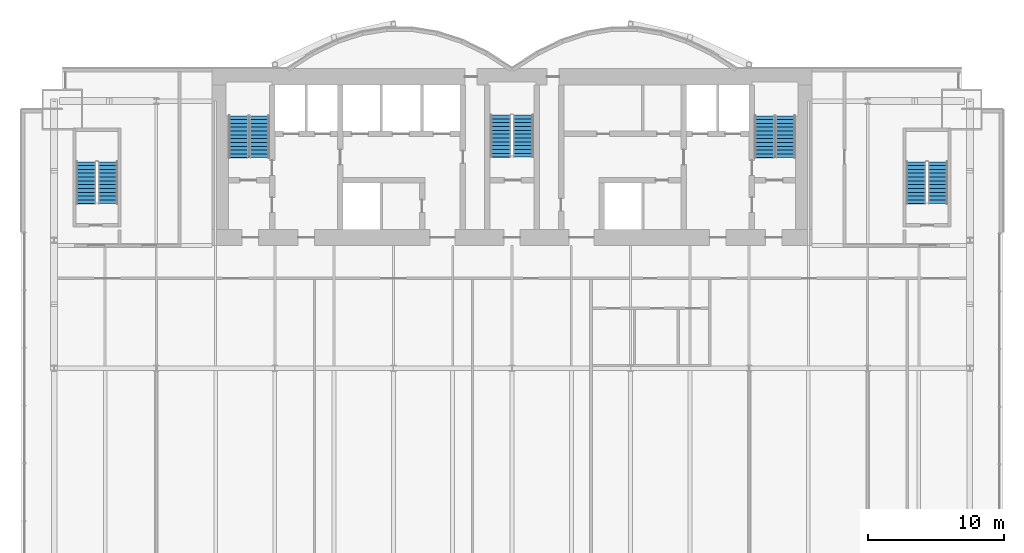
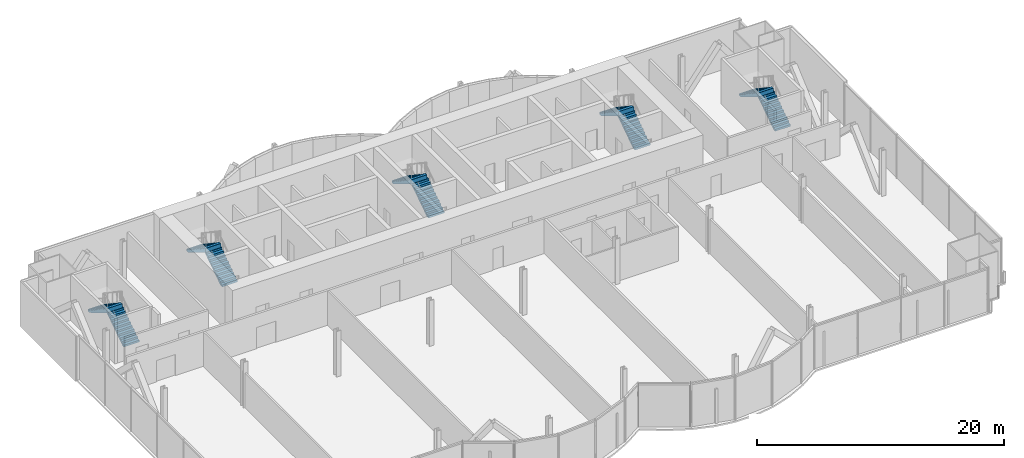
# One storey, part 18 of 21: 10 stair flights, 5 elements without a shape of their own.
"""IFC4 building model written with IfcOpenShell, lengths in metres."""

from ifc_helpers import new_model, si_unit, direction, frame, origin, place, context, subcontext, project, spatial, polyline, outline, extrude, material, type_object, element, aggregate, save


model = new_model("IFC4")

# Units and contexts
model_context = context("Model", 3, precision=1e-05, world=origin(), true_north=direction((0.0, 1.0)))
body_context = subcontext(model_context, "Body", "Model", "MODEL_VIEW")
ifc_project = project(units=[si_unit("LENGTHUNIT", "METRE"), si_unit("AREAUNIT", "SQUARE_METRE"), si_unit("VOLUMEUNIT", "CUBIC_METRE"), si_unit("PLANEANGLEUNIT", "RADIAN"), si_unit("MASSUNIT", "GRAM", prefix="KILO")], contexts=[model_context])

# Site, building, storey
site_placement = place(None, origin())
site = spatial("IfcSite", under=ifc_project, at=site_placement, CompositionType="ELEMENT")
building_placement = place(site_placement, origin())
building = spatial("IfcBuilding", under=site, at=building_placement, Name="Bicima Exchange Tower", CompositionType="ELEMENT")
storey_placement = place(building_placement, frame((0.0, 0.0, 57.5)))
storey = spatial("IfcBuildingStorey", under=building, at=storey_placement, Name="L11", CompositionType="ELEMENT", Elevation=57.5)

# Stair, stair flights
ifc_material = material(Name="Concrete C50/60", Category="concrete")
stair_type_1 = type_object("IfcStairType", Name="Exit stair", PredefinedType="HALF_TURN_STAIR", material=ifc_material)
stair_1_placement = place(storey_placement, origin())
stair_1 = element("IfcStair", 1, at=stair_1_placement, inside=storey, type_object=stair_type_1, Name="L11 West exit stair", PredefinedType="HALF_TURN_STAIR")
stair_flight_type_1 = type_object("IfcStairFlightType", Name="Stair flight RC", PredefinedType="STRAIGHT", material=ifc_material)
stair_flight_1_placement = place(storey_placement, frame((-18.52490234375, -6.550048828125, 0.0), z_axis=(0.0, 0.0, 1.0), x_axis=(0.0, 1.0, 0.0)))
stair_flight_1 = element("IfcStairFlight", 2, at=stair_flight_1_placement, type_object=stair_flight_type_1, Name="ST-W flight 1", NumberOfRisers=12, NumberOfTreads=11, PredefinedType="STRAIGHT", RiserHeight=0.1875, TreadLength=0.28, context=body_context, shape_type="SweptSolid", body=[
    extrude(outline(polyline([(0.0, 0.0), (0.0, 0.1875), (0.280029296875, 0.1875), (0.280029296875, 0.375), (0.56005859375, 0.375), (0.56005859375, 0.5625), (0.840087890625, 0.5625), (0.840087890625, 0.75), (1.1201171875, 0.75), (1.1201171875, 0.9375), (1.39990234375, 0.9375), (1.39990234375, 1.125), (1.679931640625, 1.125), (1.679931640625, 1.3125), (1.9599609375, 1.3125), (1.9599609375, 1.5), (2.239990234375, 1.5), (2.239990234375, 1.6875), (2.52001953125, 1.6875), (2.52001953125, 1.875), (2.800048828125, 1.875), (2.800048828125, 2.0625), (3.080078125, 2.0625), (3.080078125, 2.25), (3.080078125, 1.882080078125), (0.26953125, 0.0), (0.0, 0.0)])), frame((0.0, 0.72509765625, 0.0), z_axis=(0.0, -1.0, 0.0), x_axis=(1.0, 0.0, 0.0)), (0.0, 0.0, 1.0), 1.449951171875),
])
stair_flight_2_placement = place(storey_placement, frame((-20.074951171875, -3.469970703125, 2.25), z_axis=(0.0, 0.0, 1.0), x_axis=(0.0, -1.0, 0.0)))
stair_flight_2 = element("IfcStairFlight", 3, at=stair_flight_2_placement, type_object=stair_flight_type_1, Name="ST-W flight 2", NumberOfRisers=12, NumberOfTreads=11, PredefinedType="STRAIGHT", RiserHeight=0.1875, TreadLength=0.28, context=body_context, shape_type="SweptSolid", body=[
    extrude(outline(polyline([(0.0, 0.0), (0.0, 0.1875), (0.280029296875, 0.1875), (0.280029296875, 0.375), (0.56005859375, 0.375), (0.56005859375, 0.5625), (0.840087890625, 0.5625), (0.840087890625, 0.75), (1.1201171875, 0.75), (1.1201171875, 0.9375), (1.39990234375, 0.9375), (1.39990234375, 1.125), (1.679931640625, 1.125), (1.679931640625, 1.3125), (1.9599609375, 1.3125), (1.9599609375, 1.5), (2.239990234375, 1.5), (2.239990234375, 1.6875), (2.52001953125, 1.6875), (2.52001953125, 1.875), (2.800048828125, 1.875), (2.800048828125, 2.0625), (3.080078125, 2.0625), (3.080078125, 2.10400390625), (3.094970703125, 2.10400390625), (3.094970703125, 1.70458984375), (0.26953125, 0.0), (0.0, 0.0)])), frame((0.0, 0.72509765625, 0.0), z_axis=(0.0, -1.0, 0.0), x_axis=(1.0, 0.0, 0.0)), (0.0, 0.0, 1.0), 1.449951171875),
])
aggregate(stair_1, [stair_flight_1, stair_flight_2])

stair_2_placement = place(storey_placement, origin())
stair_2 = element("IfcStair", 4, at=stair_2_placement, inside=storey, type_object=stair_type_1, Name="L11 East exit stair", PredefinedType="HALF_TURN_STAIR")
stair_flight_3_placement = place(storey_placement, frame((20.074951171875, -6.550048828125, 0.0), z_axis=(0.0, 0.0, 1.0), x_axis=(0.0, 1.0, 0.0)))
stair_flight_3 = element("IfcStairFlight", 5, at=stair_flight_3_placement, type_object=stair_flight_type_1, Name="ST-E flight 1", NumberOfRisers=12, NumberOfTreads=11, PredefinedType="STRAIGHT", RiserHeight=0.1875, TreadLength=0.28, context=body_context, shape_type="SweptSolid", body=[
    extrude(outline(polyline([(0.0, 0.0), (0.0, 0.1875), (0.280029296875, 0.1875), (0.280029296875, 0.375), (0.56005859375, 0.375), (0.56005859375, 0.5625), (0.840087890625, 0.5625), (0.840087890625, 0.75), (1.1201171875, 0.75), (1.1201171875, 0.9375), (1.39990234375, 0.9375), (1.39990234375, 1.125), (1.679931640625, 1.125), (1.679931640625, 1.3125), (1.9599609375, 1.3125), (1.9599609375, 1.5), (2.239990234375, 1.5), (2.239990234375, 1.6875), (2.52001953125, 1.6875), (2.52001953125, 1.875), (2.800048828125, 1.875), (2.800048828125, 2.0625), (3.080078125, 2.0625), (3.080078125, 2.25), (3.080078125, 1.882080078125), (0.26953125, 0.0), (0.0, 0.0)])), frame((0.0, 0.72509765625, 0.0), z_axis=(0.0, -1.0, 0.0), x_axis=(1.0, 0.0, 0.0)), (0.0, 0.0, 1.0), 1.449951171875),
])
stair_flight_4_placement = place(storey_placement, frame((18.52490234375, -3.469970703125, 2.25), z_axis=(0.0, 0.0, 1.0), x_axis=(0.0, -1.0, 0.0)))
stair_flight_4 = element("IfcStairFlight", 6, at=stair_flight_4_placement, type_object=stair_flight_type_1, Name="ST-E flight 2", NumberOfRisers=12, NumberOfTreads=11, PredefinedType="STRAIGHT", RiserHeight=0.1875, TreadLength=0.28, context=body_context, shape_type="SweptSolid", body=[
    extrude(outline(polyline([(0.0, 0.0), (0.0, 0.1875), (0.280029296875, 0.1875), (0.280029296875, 0.375), (0.56005859375, 0.375), (0.56005859375, 0.5625), (0.840087890625, 0.5625), (0.840087890625, 0.75), (1.1201171875, 0.75), (1.1201171875, 0.9375), (1.39990234375, 0.9375), (1.39990234375, 1.125), (1.679931640625, 1.125), (1.679931640625, 1.3125), (1.9599609375, 1.3125), (1.9599609375, 1.5), (2.239990234375, 1.5), (2.239990234375, 1.6875), (2.52001953125, 1.6875), (2.52001953125, 1.875), (2.800048828125, 1.875), (2.800048828125, 2.0625), (3.080078125, 2.0625), (3.080078125, 2.10400390625), (3.094970703125, 2.10400390625), (3.094970703125, 1.70458984375), (0.26953125, 0.0), (0.0, 0.0)])), frame((0.0, 0.72509765625, 0.0), z_axis=(0.0, -1.0, 0.0), x_axis=(1.0, 0.0, 0.0)), (0.0, 0.0, 1.0), 1.449951171875),
])
aggregate(stair_2, [stair_flight_3, stair_flight_4])

stair_3_placement = place(storey_placement, origin())
stair_3 = element("IfcStair", 7, at=stair_3_placement, inside=storey, type_object=stair_type_1, Name="L11 West end exit stair", PredefinedType="HALF_TURN_STAIR")
stair_flight_5_placement = place(storey_placement, frame((-29.64990234375, -9.925048828125, 0.0), z_axis=(0.0, 0.0, 1.0), x_axis=(0.0, 1.0, 0.0)))
stair_flight_5 = element("IfcStairFlight", 8, at=stair_flight_5_placement, type_object=stair_flight_type_1, Name="ST-WW flight 1", NumberOfRisers=12, NumberOfTreads=11, PredefinedType="STRAIGHT", RiserHeight=0.1875, TreadLength=0.28, context=body_context, shape_type="SweptSolid", body=[
    extrude(outline(polyline([(0.0, 0.0), (0.0, 0.1875), (0.280029296875, 0.1875), (0.280029296875, 0.375), (0.56005859375, 0.375), (0.56005859375, 0.5625), (0.840087890625, 0.5625), (0.840087890625, 0.75), (1.1201171875, 0.75), (1.1201171875, 0.9375), (1.39990234375, 0.9375), (1.39990234375, 1.125), (1.679931640625, 1.125), (1.679931640625, 1.3125), (1.9599609375, 1.3125), (1.9599609375, 1.5), (2.239990234375, 1.5), (2.239990234375, 1.6875), (2.52001953125, 1.6875), (2.52001953125, 1.875), (2.800048828125, 1.875), (2.800048828125, 2.0625), (3.080078125, 2.0625), (3.080078125, 2.25), (3.080078125, 1.882080078125), (0.26953125, 0.0), (0.0, 0.0)])), frame((0.0, 0.72509765625, 0.0), z_axis=(0.0, -1.0, 0.0), x_axis=(1.0, 0.0, 0.0)), (0.0, 0.0, 1.0), 1.449951171875),
])
stair_flight_6_placement = place(storey_placement, frame((-31.25, -6.844970703125, 2.25), z_axis=(0.0, 0.0, 1.0), x_axis=(0.0, -1.0, 0.0)))
stair_flight_6 = element("IfcStairFlight", 9, at=stair_flight_6_placement, type_object=stair_flight_type_1, Name="ST-WW flight 2", NumberOfRisers=12, NumberOfTreads=11, PredefinedType="STRAIGHT", RiserHeight=0.1875, TreadLength=0.28, context=body_context, shape_type="SweptSolid", body=[
    extrude(outline(polyline([(0.0, 0.0), (0.0, 0.1875), (0.280029296875, 0.1875), (0.280029296875, 0.375), (0.56005859375, 0.375), (0.56005859375, 0.5625), (0.840087890625, 0.5625), (0.840087890625, 0.75), (1.1201171875, 0.75), (1.1201171875, 0.9375), (1.39990234375, 0.9375), (1.39990234375, 1.125), (1.679931640625, 1.125), (1.679931640625, 1.3125), (1.9599609375, 1.3125), (1.9599609375, 1.5), (2.239990234375, 1.5), (2.239990234375, 1.6875), (2.52001953125, 1.6875), (2.52001953125, 1.875), (2.800048828125, 1.875), (2.800048828125, 2.0625), (3.080078125, 2.0625), (3.080078125, 2.10400390625), (3.094970703125, 2.10400390625), (3.094970703125, 1.70458984375), (0.26953125, 0.0), (0.0, 0.0)])), frame((0.0, 0.72509765625, 0.0), z_axis=(0.0, -1.0, 0.0), x_axis=(1.0, 0.0, 0.0)), (0.0, 0.0, 1.0), 1.449951171875),
])
aggregate(stair_3, [stair_flight_5, stair_flight_6])

stair_4_placement = place(storey_placement, origin())
stair_4 = element("IfcStair", 10, at=stair_4_placement, inside=storey, type_object=stair_type_1, Name="L11 East end exit stair", PredefinedType="HALF_TURN_STAIR")
stair_flight_7_placement = place(storey_placement, frame((31.25, -9.925048828125, 0.0), z_axis=(0.0, 0.0, 1.0), x_axis=(0.0, 1.0, 0.0)))
stair_flight_7 = element("IfcStairFlight", 11, at=stair_flight_7_placement, type_object=stair_flight_type_1, Name="ST-EE flight 1", NumberOfRisers=12, NumberOfTreads=11, PredefinedType="STRAIGHT", RiserHeight=0.1875, TreadLength=0.28, context=body_context, shape_type="SweptSolid", body=[
    extrude(outline(polyline([(0.0, 0.0), (0.0, 0.1875), (0.280029296875, 0.1875), (0.280029296875, 0.375), (0.56005859375, 0.375), (0.56005859375, 0.5625), (0.840087890625, 0.5625), (0.840087890625, 0.75), (1.1201171875, 0.75), (1.1201171875, 0.9375), (1.39990234375, 0.9375), (1.39990234375, 1.125), (1.679931640625, 1.125), (1.679931640625, 1.3125), (1.9599609375, 1.3125), (1.9599609375, 1.5), (2.239990234375, 1.5), (2.239990234375, 1.6875), (2.52001953125, 1.6875), (2.52001953125, 1.875), (2.800048828125, 1.875), (2.800048828125, 2.0625), (3.080078125, 2.0625), (3.080078125, 2.25), (3.080078125, 1.882080078125), (0.26953125, 0.0), (0.0, 0.0)])), frame((0.0, 0.72509765625, 0.0), z_axis=(0.0, -1.0, 0.0), x_axis=(1.0, 0.0, 0.0)), (0.0, 0.0, 1.0), 1.449951171875),
])
stair_flight_8_placement = place(storey_placement, frame((29.64990234375, -6.844970703125, 2.25), z_axis=(0.0, 0.0, 1.0), x_axis=(0.0, -1.0, 0.0)))
stair_flight_8 = element("IfcStairFlight", 12, at=stair_flight_8_placement, type_object=stair_flight_type_1, Name="ST-EE flight 2", NumberOfRisers=12, NumberOfTreads=11, PredefinedType="STRAIGHT", RiserHeight=0.1875, TreadLength=0.28, context=body_context, shape_type="SweptSolid", body=[
    extrude(outline(polyline([(0.0, 0.0), (0.0, 0.1875), (0.280029296875, 0.1875), (0.280029296875, 0.375), (0.56005859375, 0.375), (0.56005859375, 0.5625), (0.840087890625, 0.5625), (0.840087890625, 0.75), (1.1201171875, 0.75), (1.1201171875, 0.9375), (1.39990234375, 0.9375), (1.39990234375, 1.125), (1.679931640625, 1.125), (1.679931640625, 1.3125), (1.9599609375, 1.3125), (1.9599609375, 1.5), (2.239990234375, 1.5), (2.239990234375, 1.6875), (2.52001953125, 1.6875), (2.52001953125, 1.875), (2.800048828125, 1.875), (2.800048828125, 2.0625), (3.080078125, 2.0625), (3.080078125, 2.10400390625), (3.094970703125, 2.10400390625), (3.094970703125, 1.70458984375), (0.26953125, 0.0), (0.0, 0.0)])), frame((0.0, 0.72509765625, 0.0), z_axis=(0.0, -1.0, 0.0), x_axis=(1.0, 0.0, 0.0)), (0.0, 0.0, 1.0), 1.449951171875),
])
aggregate(stair_4, [stair_flight_7, stair_flight_8])

stair_type_2 = type_object("IfcStairType", Name="Exit stair 1500", PredefinedType="HALF_TURN_STAIR", material=ifc_material)
stair_5_placement = place(storey_placement, origin())
stair_5 = element("IfcStair", 13, at=stair_5_placement, inside=storey, type_object=stair_type_2, Name="L11 Central exit stair", PredefinedType="HALF_TURN_STAIR")
stair_flight_type_2 = type_object("IfcStairFlightType", Name="Stair flight RC 1500", PredefinedType="STRAIGHT", material=ifc_material)
stair_flight_9_placement = place(storey_placement, frame((0.824951171875, -6.5, 0.0), z_axis=(0.0, 0.0, 1.0), x_axis=(0.0, 1.0, 0.0)))
stair_flight_9 = element("IfcStairFlight", 14, at=stair_flight_9_placement, type_object=stair_flight_type_2, Name="ST-C flight 1", NumberOfRisers=12, NumberOfTreads=11, PredefinedType="STRAIGHT", RiserHeight=0.1875, TreadLength=0.28, context=body_context, shape_type="SweptSolid", body=[
    extrude(outline(polyline([(0.0, 0.0), (0.0, 0.1875), (0.280029296875, 0.1875), (0.280029296875, 0.375), (0.56005859375, 0.375), (0.56005859375, 0.5625), (0.840087890625, 0.5625), (0.840087890625, 0.75), (1.1201171875, 0.75), (1.1201171875, 0.9375), (1.39990234375, 0.9375), (1.39990234375, 1.125), (1.679931640625, 1.125), (1.679931640625, 1.3125), (1.9599609375, 1.3125), (1.9599609375, 1.5), (2.239990234375, 1.5), (2.239990234375, 1.6875), (2.52001953125, 1.6875), (2.52001953125, 1.875), (2.800048828125, 1.875), (2.800048828125, 2.0625), (3.080078125, 2.0625), (3.080078125, 2.25), (3.080078125, 1.882080078125), (0.26953125, 0.0), (0.0, 0.0)])), frame((0.0, 0.75, 0.0), z_axis=(0.0, -1.0, 0.0), x_axis=(1.0, 0.0, 0.0)), (0.0, 0.0, 1.0), 1.5),
])
stair_flight_10_placement = place(storey_placement, frame((-0.824951171875, -3.419921875, 2.25), z_axis=(0.0, 0.0, 1.0), x_axis=(0.0, -1.0, 0.0)))
stair_flight_10 = element("IfcStairFlight", 15, at=stair_flight_10_placement, type_object=stair_flight_type_2, Name="ST-C flight 2", NumberOfRisers=12, NumberOfTreads=11, PredefinedType="STRAIGHT", RiserHeight=0.1875, TreadLength=0.28, context=body_context, shape_type="SweptSolid", body=[
    extrude(outline(polyline([(0.0, 0.0), (0.0, 0.1875), (0.280029296875, 0.1875), (0.280029296875, 0.375), (0.56005859375, 0.375), (0.56005859375, 0.5625), (0.840087890625, 0.5625), (0.840087890625, 0.75), (1.1201171875, 0.75), (1.1201171875, 0.9375), (1.39990234375, 0.9375), (1.39990234375, 1.125), (1.679931640625, 1.125), (1.679931640625, 1.3125), (1.9599609375, 1.3125), (1.9599609375, 1.5), (2.239990234375, 1.5), (2.239990234375, 1.6875), (2.52001953125, 1.6875), (2.52001953125, 1.875), (2.800048828125, 1.875), (2.800048828125, 2.0625), (3.080078125, 2.0625), (3.080078125, 2.10400390625), (3.094970703125, 2.10400390625), (3.094970703125, 1.70458984375), (0.26953125, 0.0), (0.0, 0.0)])), frame((0.0, 0.75, 0.0), z_axis=(0.0, -1.0, 0.0), x_axis=(1.0, 0.0, 0.0)), (0.0, 0.0, 1.0), 1.5),
])
aggregate(stair_5, [stair_flight_9, stair_flight_10])

save(model, "model.ifc")
